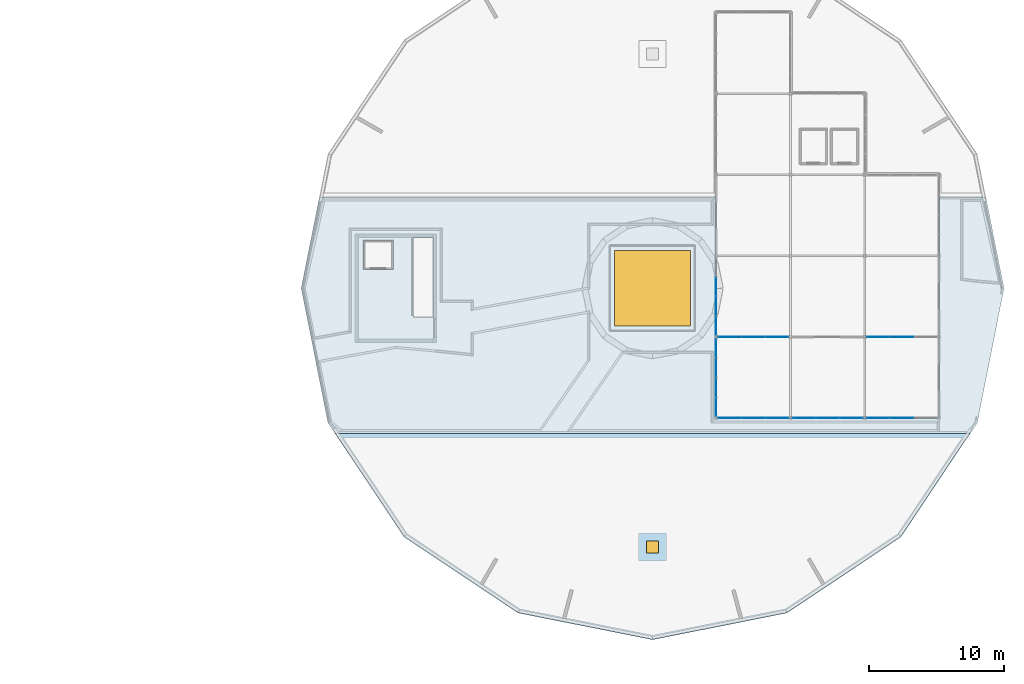
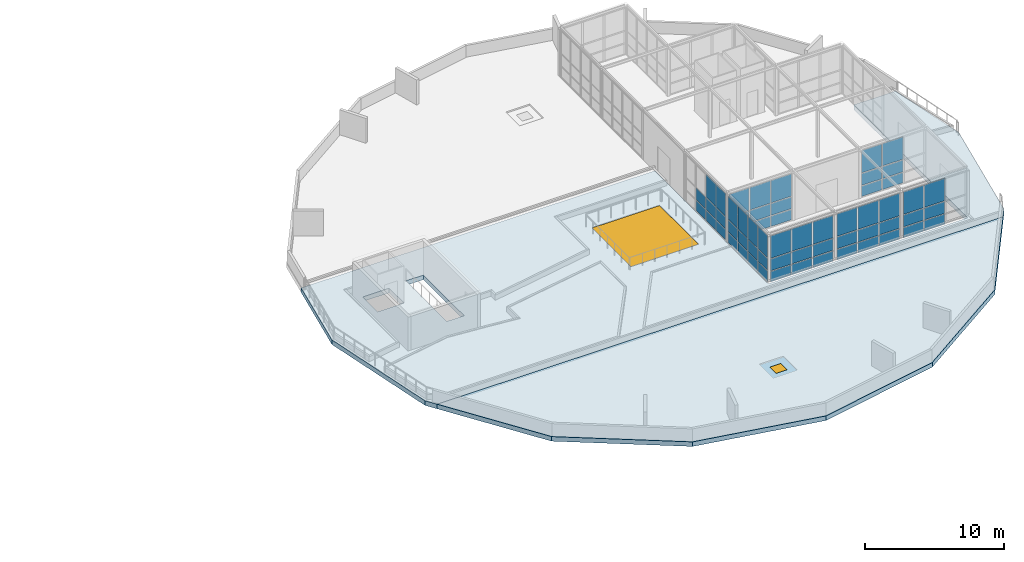
# One storey, part 21 of 40: 59 plates, 2 slabs, 2 windows, 2 openings, 7 elements without a shape of their own.
"""IFC4 building model written with IfcOpenShell, lengths in metres."""

from ifc_helpers import new_model, si_unit, direction, frame, origin, origin_2d, place, context, subcontext, project, spatial, polyline, rectangle, outline, extrude, material, layer, layer_set, type_object, element, fill, aggregate, save


model = new_model("IFC4")

# Units and contexts
model_context = context("Model", 3, precision=1e-05, world=origin(), true_north=direction((0.0, 1.0)))
body_context = subcontext(model_context, "Body", "Model", "MODEL_VIEW")
ifc_project = project(units=[si_unit("LENGTHUNIT", "METRE"), si_unit("AREAUNIT", "SQUARE_METRE"), si_unit("VOLUMEUNIT", "CUBIC_METRE"), si_unit("PLANEANGLEUNIT", "RADIAN"), si_unit("MASSUNIT", "GRAM", prefix="KILO")], contexts=[model_context])

# Site, building, storey
site_placement = place(None, origin())
site = spatial("IfcSite", under=ifc_project, at=site_placement, CompositionType="ELEMENT")
building_placement = place(site_placement, origin())
building = spatial("IfcBuilding", under=site, at=building_placement, Name="Ceibo Conservatory and Research Tower", CompositionType="ELEMENT")
storey_placement = place(building_placement, frame((0.0, 0.0, 6.0)))
storey = spatial("IfcBuildingStorey", under=building, at=storey_placement, Name="L01", CompositionType="ELEMENT", Elevation=6.0)

# Slab, opening, window
ifc_material_1 = material(Name="Concrete C35/45", Category="concrete")
ifc_layer_1 = layer(ifc_material_1, 0.40087890625)
ifc_layer_set_1 = layer_set([ifc_layer_1], Name="Concrete C35/45")
slab_type = type_object("IfcSlabType", Name="Roof deck slab 400", PredefinedType="ROOF", material=ifc_layer_set_1)
slab_1_placement = place(storey_placement, frame((0.0, 0.0, -0.450927734375)))
slab_1 = element("IfcSlab", 1, at=slab_1_placement, inside=storey, type_object=slab_type, Name="Pavilion roof garden deck with planting beds", PredefinedType="ROOF", context=body_context, shape_type="SweptSolid", body=[
    extrude(outline(polyline([(191.486083984375, 25.25), (144.513916015625, 25.25), (143.97900390625, 26.05029296875), (142.0, 36.0), (143.3427734375, 42.75), (172.699951171875, 42.75), (172.699951171875, 26.39990234375), (189.199951171875, 26.39990234375), (189.199951171875, 42.75), (192.6572265625, 42.75), (194.0, 36.0), (192.02099609375, 26.05029296875), (191.486083984375, 25.25)]), holes=[polyline([(151.75, 33.882080078125), (151.75, 39.75), (150.300048828125, 39.75), (150.300048828125, 33.882080078125), (151.75, 33.882080078125)]), polyline([(148.800048828125, 37.39990234375), (148.800048828125, 39.550048828125), (146.60009765625, 39.550048828125), (146.60009765625, 37.39990234375), (148.800048828125, 37.39990234375)])]), origin(), (0.0, 0.0, 1.0), 0.40087890625),
])
opening_1_placement = place(slab_1_placement, frame((168.0, 36.0, 0.0)))
opening_1 = element("IfcOpeningElement", 2, at=opening_1_placement, cuts=slab_1, Name="Opening VC-SK1", PredefinedType="OPENING", context=body_context, shape_type="SweptSolid", body=[
    extrude(rectangle(XDim=5.60009765625, YDim=5.60009765625, at=origin_2d()), origin(), (0.0, 0.0, 1.0), 0.40087890625),
])
ifc_material_2 = material(Name="Aluminium and glass", Category="aluminium")
window_type_1 = type_object("IfcWindowType", Name="Roof light 5600 x 5600", PartitioningType="SINGLE_PANEL", PredefinedType="SKYLIGHT", material=ifc_material_2)
window_1_placement = place(opening_1_placement, frame((0.0, 0.0, 0.350830078125)))
window_1 = element("IfcWindow", 3, at=window_1_placement, inside=storey, type_object=window_type_1, Name="Pavilion roof light", OverallHeight=5.60009765625, OverallWidth=5.60009765625, PartitioningType="SINGLE_PANEL", PredefinedType="SKYLIGHT", context=body_context, shape_type="SweptSolid", body=[
    extrude(rectangle(XDim=5.60009765625, YDim=5.60009765625, at=origin_2d()), origin(), (0.0, 0.0, 1.0), 0.050048828125),
])
fill(opening_1, window_1)

slab_2_placement = place(storey_placement, frame((0.0, 0.0, -0.450927734375)))
slab_2 = element("IfcSlab", 4, at=slab_2_placement, inside=storey, type_object=slab_type, Name="Pavilion planted roof deck 2", PredefinedType="ROOF", context=body_context, shape_type="SweptSolid", body=[
    extrude(outline(polyline([(177.94970703125, 11.97900390625), (168.0, 10.0), (158.05029296875, 11.97900390625), (149.615234375, 17.615234375), (144.513916015625, 25.25), (191.486083984375, 25.25), (186.384765625, 17.615234375), (177.94970703125, 11.97900390625)])), origin(), (0.0, 0.0, 1.0), 0.40087890625),
])
opening_2_placement = place(slab_2_placement, frame((168.0, 16.862548828125, 0.0)))
opening_2 = element("IfcOpeningElement", 5, at=opening_2_placement, cuts=slab_2, Name="Opening RH1", PredefinedType="OPENING", context=body_context, shape_type="SweptSolid", body=[
    extrude(rectangle(XDim=0.89990234375, YDim=0.89990234375, at=origin_2d()), origin(), (0.0, 0.0, 1.0), 0.40087890625),
])
window_type_2 = type_object("IfcWindowType", Name="Roof access hatch 900 x 900", PartitioningType="SINGLE_PANEL", PredefinedType="SKYLIGHT", material=ifc_material_2)
window_2_placement = place(opening_2_placement, frame((0.0, 0.0, 0.350830078125)))
window_2 = element("IfcWindow", 6, at=window_2_placement, inside=storey, type_object=window_type_2, Name="Planted roof access hatch 1", OverallHeight=0.89990234375, OverallWidth=0.89990234375, PartitioningType="SINGLE_PANEL", PredefinedType="SKYLIGHT", context=body_context, shape_type="SweptSolid", body=[
    extrude(rectangle(XDim=0.89990234375, YDim=0.89990234375, at=origin_2d()), origin(), (0.0, 0.0, 1.0), 0.050048828125),
])
fill(opening_2, window_2)

# Curtain wall, plates
curtain_wall_type_1 = type_object("IfcCurtainWallType", Name="Sky gallery partition glazing", PredefinedType="NOTDEFINED", material=ifc_material_2)
curtain_wall_1_placement = place(storey_placement, origin())
curtain_wall_1 = element("IfcCurtainWall", 7, at=curtain_wall_1_placement, inside=storey, type_object=curtain_wall_type_1, Name="Sky Gallery curtain wall h01", PredefinedType="NOTDEFINED")
ifc_material_3 = material(Name="Laminated glass 12 mm", Category="glass")
ifc_layer_2 = layer(ifc_material_3, 0.011962890625)
ifc_layer_set_2 = layer_set([ifc_layer_2], Name="Laminated glass 12 mm")
plate_type_1 = type_object("IfcPlateType", Name="Sky gallery partition glass 12", PredefinedType="CURTAIN_PANEL", material=ifc_layer_set_2)
plate_1_placement = place(storey_placement, frame((173.6982421875, 32.39990234375, 0.06005859375), z_axis=(0.0, 0.0, 1.0), x_axis=(1.0, 0.0, 0.0)))
plate_1 = element("IfcPlate", 8, at=plate_1_placement, type_object=plate_type_1, Name="VC-SWh01 panel 1.1", PredefinedType="CURTAIN_PANEL", context=body_context, shape_type="SweptSolid", body=[
    extrude(rectangle(XDim=1.6767578125, YDim=0.011962890625, at=origin_2d()), origin(), (0.0, 0.0, 1.0), 0.909912109375),
])
plate_2_placement = place(storey_placement, frame((173.6982421875, 32.39990234375, 1.030029296875), z_axis=(0.0, 0.0, 1.0), x_axis=(1.0, 0.0, 0.0)))
plate_2 = element("IfcPlate", 9, at=plate_2_placement, type_object=plate_type_1, Name="VC-SWh01 panel 1.2", PredefinedType="CURTAIN_PANEL", context=body_context, shape_type="SweptSolid", body=[
    extrude(rectangle(XDim=1.6767578125, YDim=0.011962890625, at=origin_2d()), origin(), (0.0, 0.0, 1.0), 1.0400390625),
])
plate_3_placement = place(storey_placement, frame((173.6982421875, 32.39990234375, 2.1298828125), z_axis=(0.0, 0.0, 1.0), x_axis=(1.0, 0.0, 0.0)))
plate_3 = element("IfcPlate", 10, at=plate_3_placement, type_object=plate_type_1, Name="VC-SWh01 panel 1.3", PredefinedType="CURTAIN_PANEL", context=body_context, shape_type="SweptSolid", body=[
    extrude(rectangle(XDim=1.6767578125, YDim=0.011962890625, at=origin_2d()), origin(), (0.0, 0.0, 1.0), 1.969970703125),
])
plate_4_placement = place(storey_placement, frame((175.449951171875, 32.39990234375, 0.06005859375), z_axis=(0.0, 0.0, 1.0), x_axis=(1.0, 0.0, 0.0)))
plate_4 = element("IfcPlate", 11, at=plate_4_placement, type_object=plate_type_1, Name="VC-SWh01 panel 2.1", PredefinedType="CURTAIN_PANEL", context=body_context, shape_type="SweptSolid", body=[
    extrude(rectangle(XDim=1.706787109375, YDim=0.011962890625, at=origin_2d()), origin(), (0.0, 0.0, 1.0), 0.909912109375),
])
plate_5_placement = place(storey_placement, frame((175.449951171875, 32.39990234375, 1.030029296875), z_axis=(0.0, 0.0, 1.0), x_axis=(1.0, 0.0, 0.0)))
plate_5 = element("IfcPlate", 12, at=plate_5_placement, type_object=plate_type_1, Name="VC-SWh01 panel 2.2", PredefinedType="CURTAIN_PANEL", context=body_context, shape_type="SweptSolid", body=[
    extrude(rectangle(XDim=1.706787109375, YDim=0.011962890625, at=origin_2d()), origin(), (0.0, 0.0, 1.0), 1.0400390625),
])
plate_6_placement = place(storey_placement, frame((175.449951171875, 32.39990234375, 2.1298828125), z_axis=(0.0, 0.0, 1.0), x_axis=(1.0, 0.0, 0.0)))
plate_6 = element("IfcPlate", 13, at=plate_6_placement, type_object=plate_type_1, Name="VC-SWh01 panel 2.3", PredefinedType="CURTAIN_PANEL", context=body_context, shape_type="SweptSolid", body=[
    extrude(rectangle(XDim=1.706787109375, YDim=0.011962890625, at=origin_2d()), origin(), (0.0, 0.0, 1.0), 1.969970703125),
])
plate_7_placement = place(storey_placement, frame((177.20166015625, 32.39990234375, 0.06005859375), z_axis=(0.0, 0.0, 1.0), x_axis=(1.0, 0.0, 0.0)))
plate_7 = element("IfcPlate", 14, at=plate_7_placement, type_object=plate_type_1, Name="VC-SWh01 panel 3.1", PredefinedType="CURTAIN_PANEL", context=body_context, shape_type="SweptSolid", body=[
    extrude(rectangle(XDim=1.6767578125, YDim=0.011962890625, at=origin_2d()), origin(), (0.0, 0.0, 1.0), 0.909912109375),
])
plate_8_placement = place(storey_placement, frame((177.20166015625, 32.39990234375, 1.030029296875), z_axis=(0.0, 0.0, 1.0), x_axis=(1.0, 0.0, 0.0)))
plate_8 = element("IfcPlate", 15, at=plate_8_placement, type_object=plate_type_1, Name="VC-SWh01 panel 3.2", PredefinedType="CURTAIN_PANEL", context=body_context, shape_type="SweptSolid", body=[
    extrude(rectangle(XDim=1.6767578125, YDim=0.011962890625, at=origin_2d()), origin(), (0.0, 0.0, 1.0), 1.0400390625),
])
plate_9_placement = place(storey_placement, frame((177.20166015625, 32.39990234375, 2.1298828125), z_axis=(0.0, 0.0, 1.0), x_axis=(1.0, 0.0, 0.0)))
plate_9 = element("IfcPlate", 16, at=plate_9_placement, type_object=plate_type_1, Name="VC-SWh01 panel 3.3", PredefinedType="CURTAIN_PANEL", context=body_context, shape_type="SweptSolid", body=[
    extrude(rectangle(XDim=1.6767578125, YDim=0.011962890625, at=origin_2d()), origin(), (0.0, 0.0, 1.0), 1.969970703125),
])
aggregate(curtain_wall_1, [plate_1, plate_2, plate_3, plate_4, plate_5, plate_6, plate_7, plate_8, plate_9])

curtain_wall_2_placement = place(storey_placement, origin())
curtain_wall_2 = element("IfcCurtainWall", 17, at=curtain_wall_2_placement, inside=storey, type_object=curtain_wall_type_1, Name="Sky Gallery curtain wall h21", PredefinedType="NOTDEFINED")
plate_10_placement = place(storey_placement, frame((184.6982421875, 32.39990234375, 0.06005859375), z_axis=(0.0, 0.0, 1.0), x_axis=(1.0, 0.0, 0.0)))
plate_10 = element("IfcPlate", 18, at=plate_10_placement, type_object=plate_type_1, Name="VC-SWh21 panel 1.1", PredefinedType="CURTAIN_PANEL", context=body_context, shape_type="SweptSolid", body=[
    extrude(rectangle(XDim=1.6767578125, YDim=0.011962890625, at=origin_2d()), origin(), (0.0, 0.0, 1.0), 0.909912109375),
])
plate_11_placement = place(storey_placement, frame((184.6982421875, 32.39990234375, 1.030029296875), z_axis=(0.0, 0.0, 1.0), x_axis=(1.0, 0.0, 0.0)))
plate_11 = element("IfcPlate", 19, at=plate_11_placement, type_object=plate_type_1, Name="VC-SWh21 panel 1.2", PredefinedType="CURTAIN_PANEL", context=body_context, shape_type="SweptSolid", body=[
    extrude(rectangle(XDim=1.6767578125, YDim=0.011962890625, at=origin_2d()), origin(), (0.0, 0.0, 1.0), 1.0400390625),
])
plate_12_placement = place(storey_placement, frame((184.6982421875, 32.39990234375, 2.1298828125), z_axis=(0.0, 0.0, 1.0), x_axis=(1.0, 0.0, 0.0)))
plate_12 = element("IfcPlate", 20, at=plate_12_placement, type_object=plate_type_1, Name="VC-SWh21 panel 1.3", PredefinedType="CURTAIN_PANEL", context=body_context, shape_type="SweptSolid", body=[
    extrude(rectangle(XDim=1.6767578125, YDim=0.011962890625, at=origin_2d()), origin(), (0.0, 0.0, 1.0), 1.969970703125),
])
plate_13_placement = place(storey_placement, frame((186.449951171875, 32.39990234375, 0.06005859375), z_axis=(0.0, 0.0, 1.0), x_axis=(1.0, 0.0, 0.0)))
plate_13 = element("IfcPlate", 21, at=plate_13_placement, type_object=plate_type_1, Name="VC-SWh21 panel 2.1", PredefinedType="CURTAIN_PANEL", context=body_context, shape_type="SweptSolid", body=[
    extrude(rectangle(XDim=1.706787109375, YDim=0.011962890625, at=origin_2d()), origin(), (0.0, 0.0, 1.0), 0.909912109375),
])
plate_14_placement = place(storey_placement, frame((186.449951171875, 32.39990234375, 1.030029296875), z_axis=(0.0, 0.0, 1.0), x_axis=(1.0, 0.0, 0.0)))
plate_14 = element("IfcPlate", 22, at=plate_14_placement, type_object=plate_type_1, Name="VC-SWh21 panel 2.2", PredefinedType="CURTAIN_PANEL", context=body_context, shape_type="SweptSolid", body=[
    extrude(rectangle(XDim=1.706787109375, YDim=0.011962890625, at=origin_2d()), origin(), (0.0, 0.0, 1.0), 1.0400390625),
])
plate_15_placement = place(storey_placement, frame((186.449951171875, 32.39990234375, 2.1298828125), z_axis=(0.0, 0.0, 1.0), x_axis=(1.0, 0.0, 0.0)))
plate_15 = element("IfcPlate", 23, at=plate_15_placement, type_object=plate_type_1, Name="VC-SWh21 panel 2.3", PredefinedType="CURTAIN_PANEL", context=body_context, shape_type="SweptSolid", body=[
    extrude(rectangle(XDim=1.706787109375, YDim=0.011962890625, at=origin_2d()), origin(), (0.0, 0.0, 1.0), 1.969970703125),
])
aggregate(curtain_wall_2, [plate_10, plate_11, plate_12, plate_13, plate_14, plate_15])

curtain_wall_type_2 = type_object("IfcCurtainWallType", Name="Sky gallery curtain wall", PredefinedType="NOTDEFINED", material=ifc_material_2)
curtain_wall_3_placement = place(storey_placement, origin())
curtain_wall_3 = element("IfcCurtainWall", 24, at=curtain_wall_3_placement, inside=storey, type_object=curtain_wall_type_2, Name="Sky Gallery curtain wall h00", PredefinedType="NOTDEFINED")
ifc_material_4 = material(Name="Laminated glass", Category="glass")
ifc_layer_3 = layer(ifc_material_4, 0.028076171875)
ifc_layer_set_3 = layer_set([ifc_layer_3], Name="Laminated glass")
plate_type_2 = type_object("IfcPlateType", Name="Sky gallery wall glass 28", PredefinedType="CURTAIN_PANEL", material=ifc_layer_set_3)
plate_16_placement = place(storey_placement, frame((173.6982421875, 26.39990234375, 0.06005859375), z_axis=(0.0, 0.0, 1.0), x_axis=(1.0, 0.0, 0.0)))
plate_16 = element("IfcPlate", 25, at=plate_16_placement, type_object=plate_type_2, Name="VC-SWh00 panel 1.1", PredefinedType="CURTAIN_PANEL", context=body_context, shape_type="SweptSolid", body=[
    extrude(rectangle(XDim=1.6767578125, YDim=0.028076171875, at=origin_2d()), origin(), (0.0, 0.0, 1.0), 0.909912109375),
])
plate_17_placement = place(storey_placement, frame((173.6982421875, 26.39990234375, 1.030029296875), z_axis=(0.0, 0.0, 1.0), x_axis=(1.0, 0.0, 0.0)))
plate_17 = element("IfcPlate", 26, at=plate_17_placement, type_object=plate_type_2, Name="VC-SWh00 panel 1.2", PredefinedType="CURTAIN_PANEL", context=body_context, shape_type="SweptSolid", body=[
    extrude(rectangle(XDim=1.6767578125, YDim=0.028076171875, at=origin_2d()), origin(), (0.0, 0.0, 1.0), 1.0400390625),
])
plate_18_placement = place(storey_placement, frame((173.6982421875, 26.39990234375, 2.1298828125), z_axis=(0.0, 0.0, 1.0), x_axis=(1.0, 0.0, 0.0)))
plate_18 = element("IfcPlate", 27, at=plate_18_placement, type_object=plate_type_2, Name="VC-SWh00 panel 1.3", PredefinedType="CURTAIN_PANEL", context=body_context, shape_type="SweptSolid", body=[
    extrude(rectangle(XDim=1.6767578125, YDim=0.028076171875, at=origin_2d()), origin(), (0.0, 0.0, 1.0), 1.969970703125),
])
plate_19_placement = place(storey_placement, frame((175.449951171875, 26.39990234375, 0.06005859375), z_axis=(0.0, 0.0, 1.0), x_axis=(1.0, 0.0, 0.0)))
plate_19 = element("IfcPlate", 28, at=plate_19_placement, type_object=plate_type_2, Name="VC-SWh00 panel 2.1", PredefinedType="CURTAIN_PANEL", context=body_context, shape_type="SweptSolid", body=[
    extrude(rectangle(XDim=1.706787109375, YDim=0.028076171875, at=origin_2d()), origin(), (0.0, 0.0, 1.0), 0.909912109375),
])
plate_20_placement = place(storey_placement, frame((175.449951171875, 26.39990234375, 1.030029296875), z_axis=(0.0, 0.0, 1.0), x_axis=(1.0, 0.0, 0.0)))
plate_20 = element("IfcPlate", 29, at=plate_20_placement, type_object=plate_type_2, Name="VC-SWh00 panel 2.2", PredefinedType="CURTAIN_PANEL", context=body_context, shape_type="SweptSolid", body=[
    extrude(rectangle(XDim=1.706787109375, YDim=0.028076171875, at=origin_2d()), origin(), (0.0, 0.0, 1.0), 1.0400390625),
])
plate_21_placement = place(storey_placement, frame((175.449951171875, 26.39990234375, 2.1298828125), z_axis=(0.0, 0.0, 1.0), x_axis=(1.0, 0.0, 0.0)))
plate_21 = element("IfcPlate", 30, at=plate_21_placement, type_object=plate_type_2, Name="VC-SWh00 panel 2.3", PredefinedType="CURTAIN_PANEL", context=body_context, shape_type="SweptSolid", body=[
    extrude(rectangle(XDim=1.706787109375, YDim=0.028076171875, at=origin_2d()), origin(), (0.0, 0.0, 1.0), 1.969970703125),
])
plate_22_placement = place(storey_placement, frame((177.20166015625, 26.39990234375, 0.06005859375), z_axis=(0.0, 0.0, 1.0), x_axis=(1.0, 0.0, 0.0)))
plate_22 = element("IfcPlate", 31, at=plate_22_placement, type_object=plate_type_2, Name="VC-SWh00 panel 3.1", PredefinedType="CURTAIN_PANEL", context=body_context, shape_type="SweptSolid", body=[
    extrude(rectangle(XDim=1.6767578125, YDim=0.028076171875, at=origin_2d()), origin(), (0.0, 0.0, 1.0), 0.909912109375),
])
plate_23_placement = place(storey_placement, frame((177.20166015625, 26.39990234375, 1.030029296875), z_axis=(0.0, 0.0, 1.0), x_axis=(1.0, 0.0, 0.0)))
plate_23 = element("IfcPlate", 32, at=plate_23_placement, type_object=plate_type_2, Name="VC-SWh00 panel 3.2", PredefinedType="CURTAIN_PANEL", context=body_context, shape_type="SweptSolid", body=[
    extrude(rectangle(XDim=1.6767578125, YDim=0.028076171875, at=origin_2d()), origin(), (0.0, 0.0, 1.0), 1.0400390625),
])
plate_24_placement = place(storey_placement, frame((177.20166015625, 26.39990234375, 2.1298828125), z_axis=(0.0, 0.0, 1.0), x_axis=(1.0, 0.0, 0.0)))
plate_24 = element("IfcPlate", 33, at=plate_24_placement, type_object=plate_type_2, Name="VC-SWh00 panel 3.3", PredefinedType="CURTAIN_PANEL", context=body_context, shape_type="SweptSolid", body=[
    extrude(rectangle(XDim=1.6767578125, YDim=0.028076171875, at=origin_2d()), origin(), (0.0, 0.0, 1.0), 1.969970703125),
])
aggregate(curtain_wall_3, [plate_16, plate_17, plate_18, plate_19, plate_20, plate_21, plate_22, plate_23, plate_24])

curtain_wall_4_placement = place(storey_placement, origin())
curtain_wall_4 = element("IfcCurtainWall", 34, at=curtain_wall_4_placement, inside=storey, type_object=curtain_wall_type_2, Name="Sky Gallery curtain wall h10", PredefinedType="NOTDEFINED")
plate_25_placement = place(storey_placement, frame((179.1982421875, 26.39990234375, 0.06005859375), z_axis=(0.0, 0.0, 1.0), x_axis=(1.0, 0.0, 0.0)))
plate_25 = element("IfcPlate", 35, at=plate_25_placement, type_object=plate_type_2, Name="VC-SWh10 panel 1.1", PredefinedType="CURTAIN_PANEL", context=body_context, shape_type="SweptSolid", body=[
    extrude(rectangle(XDim=1.6767578125, YDim=0.028076171875, at=origin_2d()), origin(), (0.0, 0.0, 1.0), 0.909912109375),
])
plate_26_placement = place(storey_placement, frame((179.1982421875, 26.39990234375, 1.030029296875), z_axis=(0.0, 0.0, 1.0), x_axis=(1.0, 0.0, 0.0)))
plate_26 = element("IfcPlate", 36, at=plate_26_placement, type_object=plate_type_2, Name="VC-SWh10 panel 1.2", PredefinedType="CURTAIN_PANEL", context=body_context, shape_type="SweptSolid", body=[
    extrude(rectangle(XDim=1.6767578125, YDim=0.028076171875, at=origin_2d()), origin(), (0.0, 0.0, 1.0), 1.0400390625),
])
plate_27_placement = place(storey_placement, frame((179.1982421875, 26.39990234375, 2.1298828125), z_axis=(0.0, 0.0, 1.0), x_axis=(1.0, 0.0, 0.0)))
plate_27 = element("IfcPlate", 37, at=plate_27_placement, type_object=plate_type_2, Name="VC-SWh10 panel 1.3", PredefinedType="CURTAIN_PANEL", context=body_context, shape_type="SweptSolid", body=[
    extrude(rectangle(XDim=1.6767578125, YDim=0.028076171875, at=origin_2d()), origin(), (0.0, 0.0, 1.0), 1.969970703125),
])
plate_28_placement = place(storey_placement, frame((180.949951171875, 26.39990234375, 0.06005859375), z_axis=(0.0, 0.0, 1.0), x_axis=(1.0, 0.0, 0.0)))
plate_28 = element("IfcPlate", 38, at=plate_28_placement, type_object=plate_type_2, Name="VC-SWh10 panel 2.1", PredefinedType="CURTAIN_PANEL", context=body_context, shape_type="SweptSolid", body=[
    extrude(rectangle(XDim=1.706787109375, YDim=0.028076171875, at=origin_2d()), origin(), (0.0, 0.0, 1.0), 0.909912109375),
])
plate_29_placement = place(storey_placement, frame((180.949951171875, 26.39990234375, 1.030029296875), z_axis=(0.0, 0.0, 1.0), x_axis=(1.0, 0.0, 0.0)))
plate_29 = element("IfcPlate", 39, at=plate_29_placement, type_object=plate_type_2, Name="VC-SWh10 panel 2.2", PredefinedType="CURTAIN_PANEL", context=body_context, shape_type="SweptSolid", body=[
    extrude(rectangle(XDim=1.706787109375, YDim=0.028076171875, at=origin_2d()), origin(), (0.0, 0.0, 1.0), 1.0400390625),
])
plate_30_placement = place(storey_placement, frame((180.949951171875, 26.39990234375, 2.1298828125), z_axis=(0.0, 0.0, 1.0), x_axis=(1.0, 0.0, 0.0)))
plate_30 = element("IfcPlate", 40, at=plate_30_placement, type_object=plate_type_2, Name="VC-SWh10 panel 2.3", PredefinedType="CURTAIN_PANEL", context=body_context, shape_type="SweptSolid", body=[
    extrude(rectangle(XDim=1.706787109375, YDim=0.028076171875, at=origin_2d()), origin(), (0.0, 0.0, 1.0), 1.969970703125),
])
plate_31_placement = place(storey_placement, frame((182.70166015625, 26.39990234375, 0.06005859375), z_axis=(0.0, 0.0, 1.0), x_axis=(1.0, 0.0, 0.0)))
plate_31 = element("IfcPlate", 41, at=plate_31_placement, type_object=plate_type_2, Name="VC-SWh10 panel 3.1", PredefinedType="CURTAIN_PANEL", context=body_context, shape_type="SweptSolid", body=[
    extrude(rectangle(XDim=1.6767578125, YDim=0.028076171875, at=origin_2d()), origin(), (0.0, 0.0, 1.0), 0.909912109375),
])
plate_32_placement = place(storey_placement, frame((182.70166015625, 26.39990234375, 1.030029296875), z_axis=(0.0, 0.0, 1.0), x_axis=(1.0, 0.0, 0.0)))
plate_32 = element("IfcPlate", 42, at=plate_32_placement, type_object=plate_type_2, Name="VC-SWh10 panel 3.2", PredefinedType="CURTAIN_PANEL", context=body_context, shape_type="SweptSolid", body=[
    extrude(rectangle(XDim=1.6767578125, YDim=0.028076171875, at=origin_2d()), origin(), (0.0, 0.0, 1.0), 1.0400390625),
])
plate_33_placement = place(storey_placement, frame((182.70166015625, 26.39990234375, 2.1298828125), z_axis=(0.0, 0.0, 1.0), x_axis=(1.0, 0.0, 0.0)))
plate_33 = element("IfcPlate", 43, at=plate_33_placement, type_object=plate_type_2, Name="VC-SWh10 panel 3.3", PredefinedType="CURTAIN_PANEL", context=body_context, shape_type="SweptSolid", body=[
    extrude(rectangle(XDim=1.6767578125, YDim=0.028076171875, at=origin_2d()), origin(), (0.0, 0.0, 1.0), 1.969970703125),
])
aggregate(curtain_wall_4, [plate_25, plate_26, plate_27, plate_28, plate_29, plate_30, plate_31, plate_32, plate_33])

curtain_wall_5_placement = place(storey_placement, origin())
curtain_wall_5 = element("IfcCurtainWall", 44, at=curtain_wall_5_placement, inside=storey, type_object=curtain_wall_type_2, Name="Sky Gallery curtain wall h20", PredefinedType="NOTDEFINED")
plate_34_placement = place(storey_placement, frame((184.6982421875, 26.39990234375, 0.06005859375), z_axis=(0.0, 0.0, 1.0), x_axis=(1.0, 0.0, 0.0)))
plate_34 = element("IfcPlate", 45, at=plate_34_placement, type_object=plate_type_2, Name="VC-SWh20 panel 1.1", PredefinedType="CURTAIN_PANEL", context=body_context, shape_type="SweptSolid", body=[
    extrude(rectangle(XDim=1.6767578125, YDim=0.028076171875, at=origin_2d()), origin(), (0.0, 0.0, 1.0), 0.909912109375),
])
plate_35_placement = place(storey_placement, frame((184.6982421875, 26.39990234375, 1.030029296875), z_axis=(0.0, 0.0, 1.0), x_axis=(1.0, 0.0, 0.0)))
plate_35 = element("IfcPlate", 46, at=plate_35_placement, type_object=plate_type_2, Name="VC-SWh20 panel 1.2", PredefinedType="CURTAIN_PANEL", context=body_context, shape_type="SweptSolid", body=[
    extrude(rectangle(XDim=1.6767578125, YDim=0.028076171875, at=origin_2d()), origin(), (0.0, 0.0, 1.0), 1.0400390625),
])
plate_36_placement = place(storey_placement, frame((184.6982421875, 26.39990234375, 2.1298828125), z_axis=(0.0, 0.0, 1.0), x_axis=(1.0, 0.0, 0.0)))
plate_36 = element("IfcPlate", 47, at=plate_36_placement, type_object=plate_type_2, Name="VC-SWh20 panel 1.3", PredefinedType="CURTAIN_PANEL", context=body_context, shape_type="SweptSolid", body=[
    extrude(rectangle(XDim=1.6767578125, YDim=0.028076171875, at=origin_2d()), origin(), (0.0, 0.0, 1.0), 1.969970703125),
])
plate_37_placement = place(storey_placement, frame((186.449951171875, 26.39990234375, 0.06005859375), z_axis=(0.0, 0.0, 1.0), x_axis=(1.0, 0.0, 0.0)))
plate_37 = element("IfcPlate", 48, at=plate_37_placement, type_object=plate_type_2, Name="VC-SWh20 panel 2.1", PredefinedType="CURTAIN_PANEL", context=body_context, shape_type="SweptSolid", body=[
    extrude(rectangle(XDim=1.706787109375, YDim=0.028076171875, at=origin_2d()), origin(), (0.0, 0.0, 1.0), 0.909912109375),
])
plate_38_placement = place(storey_placement, frame((186.449951171875, 26.39990234375, 1.030029296875), z_axis=(0.0, 0.0, 1.0), x_axis=(1.0, 0.0, 0.0)))
plate_38 = element("IfcPlate", 49, at=plate_38_placement, type_object=plate_type_2, Name="VC-SWh20 panel 2.2", PredefinedType="CURTAIN_PANEL", context=body_context, shape_type="SweptSolid", body=[
    extrude(rectangle(XDim=1.706787109375, YDim=0.028076171875, at=origin_2d()), origin(), (0.0, 0.0, 1.0), 1.0400390625),
])
plate_39_placement = place(storey_placement, frame((186.449951171875, 26.39990234375, 2.1298828125), z_axis=(0.0, 0.0, 1.0), x_axis=(1.0, 0.0, 0.0)))
plate_39 = element("IfcPlate", 50, at=plate_39_placement, type_object=plate_type_2, Name="VC-SWh20 panel 2.3", PredefinedType="CURTAIN_PANEL", context=body_context, shape_type="SweptSolid", body=[
    extrude(rectangle(XDim=1.706787109375, YDim=0.028076171875, at=origin_2d()), origin(), (0.0, 0.0, 1.0), 1.969970703125),
])
aggregate(curtain_wall_5, [plate_34, plate_35, plate_36, plate_37, plate_38, plate_39])

curtain_wall_6_placement = place(storey_placement, origin())
curtain_wall_6 = element("IfcCurtainWall", 51, at=curtain_wall_6_placement, inside=storey, type_object=curtain_wall_type_2, Name="Sky Gallery curtain wall v00", PredefinedType="NOTDEFINED")
plate_40_placement = place(storey_placement, frame((172.699951171875, 27.239990234375, 0.06005859375), z_axis=(0.0, 0.0, 1.0), x_axis=(0.0, 1.0, 0.0)))
plate_40 = element("IfcPlate", 52, at=plate_40_placement, type_object=plate_type_2, Name="VC-SWv00 panel 1.1", PredefinedType="CURTAIN_PANEL", context=body_context, shape_type="SweptSolid", body=[
    extrude(rectangle(XDim=1.360107421875, YDim=0.028076171875, at=origin_2d()), origin(), (0.0, 0.0, 1.0), 0.909912109375),
])
plate_41_placement = place(storey_placement, frame((172.699951171875, 27.239990234375, 1.030029296875), z_axis=(0.0, 0.0, 1.0), x_axis=(0.0, 1.0, 0.0)))
plate_41 = element("IfcPlate", 53, at=plate_41_placement, type_object=plate_type_2, Name="VC-SWv00 panel 1.2", PredefinedType="CURTAIN_PANEL", context=body_context, shape_type="SweptSolid", body=[
    extrude(rectangle(XDim=1.360107421875, YDim=0.028076171875, at=origin_2d()), origin(), (0.0, 0.0, 1.0), 1.0400390625),
])
plate_42_placement = place(storey_placement, frame((172.699951171875, 27.239990234375, 2.1298828125), z_axis=(0.0, 0.0, 1.0), x_axis=(0.0, 1.0, 0.0)))
plate_42 = element("IfcPlate", 54, at=plate_42_placement, type_object=plate_type_2, Name="VC-SWv00 panel 1.3", PredefinedType="CURTAIN_PANEL", context=body_context, shape_type="SweptSolid", body=[
    extrude(rectangle(XDim=1.360107421875, YDim=0.028076171875, at=origin_2d()), origin(), (0.0, 0.0, 1.0), 1.969970703125),
])
plate_43_placement = place(storey_placement, frame((172.699951171875, 28.675048828125, 0.06005859375), z_axis=(0.0, 0.0, 1.0), x_axis=(0.0, 1.0, 0.0)))
plate_43 = element("IfcPlate", 55, at=plate_43_placement, type_object=plate_type_2, Name="VC-SWv00 panel 2.1", PredefinedType="CURTAIN_PANEL", context=body_context, shape_type="SweptSolid", body=[
    extrude(rectangle(XDim=1.389892578125, YDim=0.028076171875, at=origin_2d()), origin(), (0.0, 0.0, 1.0), 0.909912109375),
])
plate_44_placement = place(storey_placement, frame((172.699951171875, 28.675048828125, 1.030029296875), z_axis=(0.0, 0.0, 1.0), x_axis=(0.0, 1.0, 0.0)))
plate_44 = element("IfcPlate", 56, at=plate_44_placement, type_object=plate_type_2, Name="VC-SWv00 panel 2.2", PredefinedType="CURTAIN_PANEL", context=body_context, shape_type="SweptSolid", body=[
    extrude(rectangle(XDim=1.389892578125, YDim=0.028076171875, at=origin_2d()), origin(), (0.0, 0.0, 1.0), 1.0400390625),
])
plate_45_placement = place(storey_placement, frame((172.699951171875, 28.675048828125, 2.1298828125), z_axis=(0.0, 0.0, 1.0), x_axis=(0.0, 1.0, 0.0)))
plate_45 = element("IfcPlate", 57, at=plate_45_placement, type_object=plate_type_2, Name="VC-SWv00 panel 2.3", PredefinedType="CURTAIN_PANEL", context=body_context, shape_type="SweptSolid", body=[
    extrude(rectangle(XDim=1.389892578125, YDim=0.028076171875, at=origin_2d()), origin(), (0.0, 0.0, 1.0), 1.969970703125),
])
plate_46_placement = place(storey_placement, frame((172.699951171875, 30.125, 0.06005859375), z_axis=(0.0, 0.0, 1.0), x_axis=(0.0, 1.0, 0.0)))
plate_46 = element("IfcPlate", 58, at=plate_46_placement, type_object=plate_type_2, Name="VC-SWv00 panel 3.1", PredefinedType="CURTAIN_PANEL", context=body_context, shape_type="SweptSolid", body=[
    extrude(rectangle(XDim=1.389892578125, YDim=0.028076171875, at=origin_2d()), origin(), (0.0, 0.0, 1.0), 0.909912109375),
])
plate_47_placement = place(storey_placement, frame((172.699951171875, 30.125, 1.030029296875), z_axis=(0.0, 0.0, 1.0), x_axis=(0.0, 1.0, 0.0)))
plate_47 = element("IfcPlate", 59, at=plate_47_placement, type_object=plate_type_2, Name="VC-SWv00 panel 3.2", PredefinedType="CURTAIN_PANEL", context=body_context, shape_type="SweptSolid", body=[
    extrude(rectangle(XDim=1.389892578125, YDim=0.028076171875, at=origin_2d()), origin(), (0.0, 0.0, 1.0), 1.0400390625),
])
plate_48_placement = place(storey_placement, frame((172.699951171875, 30.125, 2.1298828125), z_axis=(0.0, 0.0, 1.0), x_axis=(0.0, 1.0, 0.0)))
plate_48 = element("IfcPlate", 60, at=plate_48_placement, type_object=plate_type_2, Name="VC-SWv00 panel 3.3", PredefinedType="CURTAIN_PANEL", context=body_context, shape_type="SweptSolid", body=[
    extrude(rectangle(XDim=1.389892578125, YDim=0.028076171875, at=origin_2d()), origin(), (0.0, 0.0, 1.0), 1.969970703125),
])
plate_49_placement = place(storey_placement, frame((172.699951171875, 31.56005859375, 0.06005859375), z_axis=(0.0, 0.0, 1.0), x_axis=(0.0, 1.0, 0.0)))
plate_49 = element("IfcPlate", 61, at=plate_49_placement, type_object=plate_type_2, Name="VC-SWv00 panel 4.1", PredefinedType="CURTAIN_PANEL", context=body_context, shape_type="SweptSolid", body=[
    extrude(rectangle(XDim=1.360107421875, YDim=0.028076171875, at=origin_2d()), origin(), (0.0, 0.0, 1.0), 0.909912109375),
])
plate_50_placement = place(storey_placement, frame((172.699951171875, 31.56005859375, 1.030029296875), z_axis=(0.0, 0.0, 1.0), x_axis=(0.0, 1.0, 0.0)))
plate_50 = element("IfcPlate", 62, at=plate_50_placement, type_object=plate_type_2, Name="VC-SWv00 panel 4.2", PredefinedType="CURTAIN_PANEL", context=body_context, shape_type="SweptSolid", body=[
    extrude(rectangle(XDim=1.360107421875, YDim=0.028076171875, at=origin_2d()), origin(), (0.0, 0.0, 1.0), 1.0400390625),
])
plate_51_placement = place(storey_placement, frame((172.699951171875, 31.56005859375, 2.1298828125), z_axis=(0.0, 0.0, 1.0), x_axis=(0.0, 1.0, 0.0)))
plate_51 = element("IfcPlate", 63, at=plate_51_placement, type_object=plate_type_2, Name="VC-SWv00 panel 4.3", PredefinedType="CURTAIN_PANEL", context=body_context, shape_type="SweptSolid", body=[
    extrude(rectangle(XDim=1.360107421875, YDim=0.028076171875, at=origin_2d()), origin(), (0.0, 0.0, 1.0), 1.969970703125),
])
aggregate(curtain_wall_6, [plate_40, plate_41, plate_42, plate_43, plate_44, plate_45, plate_46, plate_47, plate_48, plate_49, plate_50, plate_51])

curtain_wall_7_placement = place(storey_placement, origin())
curtain_wall_7 = element("IfcCurtainWall", 64, at=curtain_wall_7_placement, inside=storey, type_object=curtain_wall_type_2, Name="Sky Gallery curtain wall v01", PredefinedType="NOTDEFINED")
plate_52_placement = place(storey_placement, frame((172.699951171875, 33.239990234375, 0.06005859375), z_axis=(0.0, 0.0, 1.0), x_axis=(0.0, 1.0, 0.0)))
plate_52 = element("IfcPlate", 65, at=plate_52_placement, type_object=plate_type_2, Name="VC-SWv01 panel 1.1", PredefinedType="CURTAIN_PANEL", context=body_context, shape_type="SweptSolid", body=[
    extrude(rectangle(XDim=1.360107421875, YDim=0.028076171875, at=origin_2d()), origin(), (0.0, 0.0, 1.0), 0.909912109375),
])
plate_53_placement = place(storey_placement, frame((172.699951171875, 33.239990234375, 1.030029296875), z_axis=(0.0, 0.0, 1.0), x_axis=(0.0, 1.0, 0.0)))
plate_53 = element("IfcPlate", 66, at=plate_53_placement, type_object=plate_type_2, Name="VC-SWv01 panel 1.2", PredefinedType="CURTAIN_PANEL", context=body_context, shape_type="SweptSolid", body=[
    extrude(rectangle(XDim=1.360107421875, YDim=0.028076171875, at=origin_2d()), origin(), (0.0, 0.0, 1.0), 1.0400390625),
])
plate_54_placement = place(storey_placement, frame((172.699951171875, 33.239990234375, 2.1298828125), z_axis=(0.0, 0.0, 1.0), x_axis=(0.0, 1.0, 0.0)))
plate_54 = element("IfcPlate", 67, at=plate_54_placement, type_object=plate_type_2, Name="VC-SWv01 panel 1.3", PredefinedType="CURTAIN_PANEL", context=body_context, shape_type="SweptSolid", body=[
    extrude(rectangle(XDim=1.360107421875, YDim=0.028076171875, at=origin_2d()), origin(), (0.0, 0.0, 1.0), 1.969970703125),
])
plate_55_placement = place(storey_placement, frame((172.699951171875, 34.675048828125, 0.06005859375), z_axis=(0.0, 0.0, 1.0), x_axis=(0.0, 1.0, 0.0)))
plate_55 = element("IfcPlate", 68, at=plate_55_placement, type_object=plate_type_2, Name="VC-SWv01 panel 2.1", PredefinedType="CURTAIN_PANEL", context=body_context, shape_type="SweptSolid", body=[
    extrude(rectangle(XDim=1.389892578125, YDim=0.028076171875, at=origin_2d()), origin(), (0.0, 0.0, 1.0), 0.909912109375),
])
plate_56_placement = place(storey_placement, frame((172.699951171875, 34.675048828125, 1.030029296875), z_axis=(0.0, 0.0, 1.0), x_axis=(0.0, 1.0, 0.0)))
plate_56 = element("IfcPlate", 69, at=plate_56_placement, type_object=plate_type_2, Name="VC-SWv01 panel 2.2", PredefinedType="CURTAIN_PANEL", context=body_context, shape_type="SweptSolid", body=[
    extrude(rectangle(XDim=1.389892578125, YDim=0.028076171875, at=origin_2d()), origin(), (0.0, 0.0, 1.0), 1.0400390625),
])
plate_57_placement = place(storey_placement, frame((172.699951171875, 34.675048828125, 2.1298828125), z_axis=(0.0, 0.0, 1.0), x_axis=(0.0, 1.0, 0.0)))
plate_57 = element("IfcPlate", 70, at=plate_57_placement, type_object=plate_type_2, Name="VC-SWv01 panel 2.3", PredefinedType="CURTAIN_PANEL", context=body_context, shape_type="SweptSolid", body=[
    extrude(rectangle(XDim=1.389892578125, YDim=0.028076171875, at=origin_2d()), origin(), (0.0, 0.0, 1.0), 1.969970703125),
])
plate_58_placement = place(storey_placement, frame((172.699951171875, 36.125, 0.06005859375), z_axis=(0.0, 0.0, 1.0), x_axis=(0.0, 1.0, 0.0)))
plate_58 = element("IfcPlate", 71, at=plate_58_placement, type_object=plate_type_2, Name="VC-SWv01 panel 3.1", PredefinedType="CURTAIN_PANEL", context=body_context, shape_type="SweptSolid", body=[
    extrude(rectangle(XDim=1.389892578125, YDim=0.028076171875, at=origin_2d()), origin(), (0.0, 0.0, 1.0), 0.909912109375),
])
plate_59_placement = place(storey_placement, frame((172.699951171875, 36.125, 1.030029296875), z_axis=(0.0, 0.0, 1.0), x_axis=(0.0, 1.0, 0.0)))
plate_59 = element("IfcPlate", 72, at=plate_59_placement, type_object=plate_type_2, Name="VC-SWv01 panel 3.2", PredefinedType="CURTAIN_PANEL", context=body_context, shape_type="SweptSolid", body=[
    extrude(rectangle(XDim=1.389892578125, YDim=0.028076171875, at=origin_2d()), origin(), (0.0, 0.0, 1.0), 1.0400390625),
])
aggregate(curtain_wall_7, [plate_52, plate_53, plate_54, plate_55, plate_56, plate_57, plate_58, plate_59])

save(model, "model.ifc")
